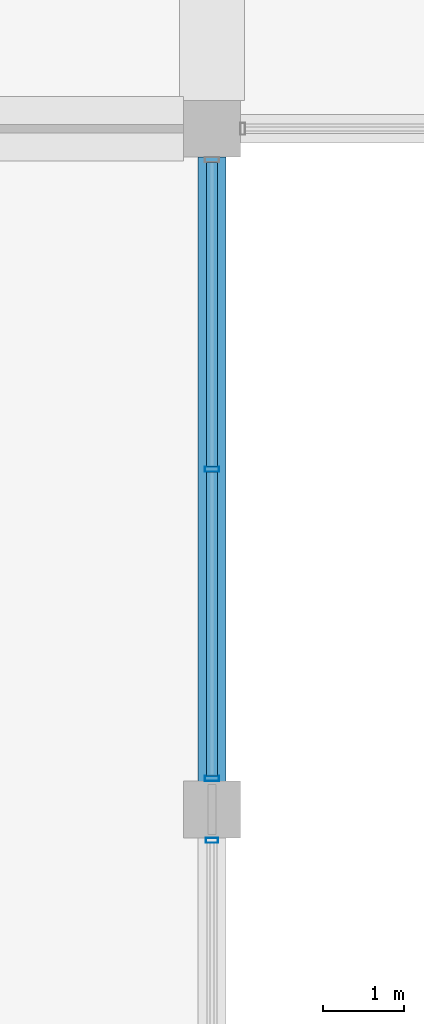
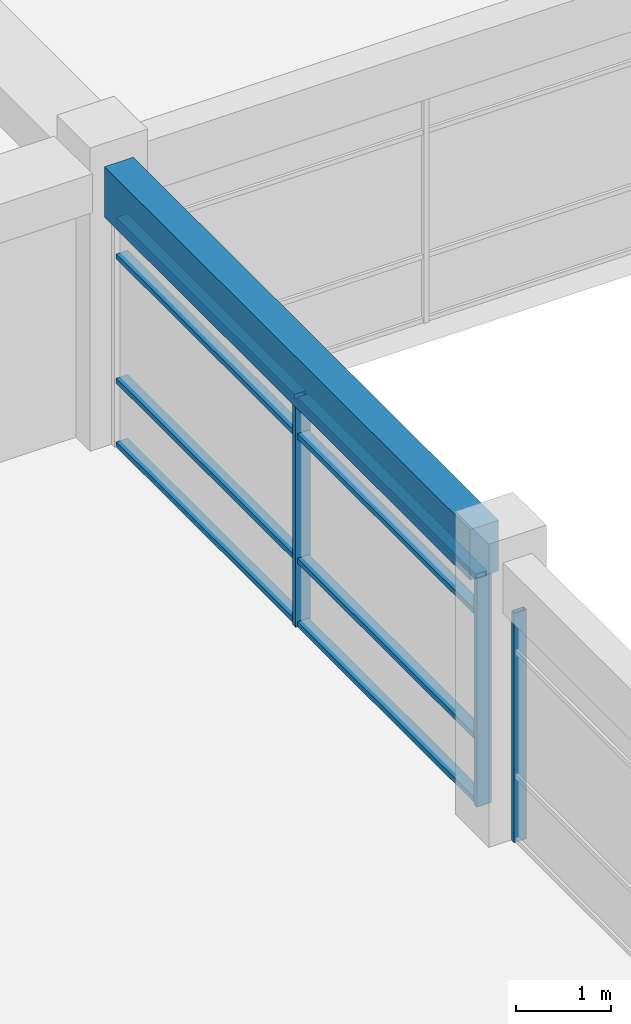
# One storey, part 22 of 72: 11 members, 1 beam, 2 elements without a shape of their own.
"""IFC4 building model written with IfcOpenShell, lengths in metres."""

from ifc_helpers import new_model, si_unit, direction, frame, origin, origin_2d, place, context, subcontext, project, spatial, rectangle, hollow_rectangle, extrude, material, material_profile, profile_set, type_object, element, aggregate, save


model = new_model("IFC4")

# Units and contexts
model_context = context("Model", 3, precision=1e-05, world=origin(), true_north=direction((0.0, 1.0)))
body_context = subcontext(model_context, "Body", "Model", "MODEL_VIEW")
ifc_project = project(units=[si_unit("LENGTHUNIT", "METRE"), si_unit("AREAUNIT", "SQUARE_METRE"), si_unit("VOLUMEUNIT", "CUBIC_METRE"), si_unit("PLANEANGLEUNIT", "RADIAN"), si_unit("MASSUNIT", "GRAM", prefix="KILO"), si_unit("THERMODYNAMICTEMPERATUREUNIT", "KELVIN"), si_unit("POWERUNIT", "WATT")], contexts=[model_context])

# Site, building, storey
site_placement = place(None, origin())
site = spatial("IfcSite", under=ifc_project, at=site_placement, CompositionType="ELEMENT")
building_placement = place(site_placement, origin())
building = spatial("IfcBuilding", under=site, at=building_placement, Name="Srebrne Nadtorze General Hospital", CompositionType="ELEMENT")
storey_placement = place(building_placement, frame((0.0, 0.0, 22.199951171875)))
storey = spatial("IfcBuildingStorey", under=building, at=storey_placement, Name="L05", CompositionType="ELEMENT", Elevation=22.199951171875)

# Curtain wall, member
ifc_material_1 = material(Name="Anodised Aluminium", Category="aluminium")
curtain_wall_type = type_object("IfcCurtainWallType", Name="Unitised curtain wall 7700x2950", PredefinedType="NOTDEFINED", material=ifc_material_1)
curtain_wall_1_placement = place(storey_placement, origin())
curtain_wall_1 = element("IfcCurtainWall", 1, at=curtain_wall_1_placement, inside=storey, type_object=curtain_wall_type, Name="Curtain wall CW-134", PredefinedType="NOTDEFINED")
ifc_material_2 = material(Name="Anodised Aluminium", Category="aluminium")
ifc_material_profile_1 = material_profile(ifc_material_2, hollow_rectangle(XDim=0.06005859375, YDim=0.14990234375, WallThickness=0.00390625, at=origin_2d()), Name="AL-MUL-60x150")
ifc_profile_set_1 = profile_set([ifc_material_profile_1], Name="Anodised Aluminium")
member_type_1 = type_object("IfcMemberType", Name="Curtain mullion 60x150", PredefinedType="MULLION", material=ifc_profile_set_1)
member_1_placement = place(storey_placement, frame((117.0, 16.419921875, 0.0), z_axis=(0.0, 0.0, 1.0), x_axis=(0.0, 1.0, 0.0)))
member_1 = element("IfcMember", 2, at=member_1_placement, type_object=member_type_1, Name="CW-134 mullion 3", PredefinedType="MULLION", context=body_context, shape_type="SweptSolid", body=[
    extrude(hollow_rectangle(XDim=0.06005859375, YDim=0.14990234375, WallThickness=0.00390625, at=origin_2d()), origin(), (0.0, 0.0, 1.0), 2.949951171875),
])
aggregate(curtain_wall_1, [member_1])

# Curtain wall, members
curtain_wall_2_placement = place(storey_placement, origin())
curtain_wall_2 = element("IfcCurtainWall", 3, at=curtain_wall_2_placement, inside=storey, type_object=curtain_wall_type, Name="Curtain wall CW-135", PredefinedType="NOTDEFINED")
ifc_material_3 = material(Name="Anodised Aluminium", Category="aluminium")
ifc_material_profile_2 = material_profile(ifc_material_3, hollow_rectangle(XDim=0.06494140625, YDim=0.179931640625, WallThickness=0.00390625, at=origin_2d()), Name="AL-MUL-65x180")
ifc_profile_set_2 = profile_set([ifc_material_profile_2], Name="Anodised Aluminium")
member_type_2 = type_object("IfcMemberType", Name="Curtain mullion 65x180", PredefinedType="MULLION", material=ifc_profile_set_2)
member_2_placement = place(storey_placement, frame((117.0, 17.1826171875, 0.0), z_axis=(0.0, 0.0, 1.0), x_axis=(0.0, 1.0, 0.0)))
member_2 = element("IfcMember", 4, at=member_2_placement, type_object=member_type_2, Name="CW-135 mullion 1", PredefinedType="MULLION", context=body_context, shape_type="SweptSolid", body=[
    extrude(hollow_rectangle(XDim=0.06494140625, YDim=0.179931640625, WallThickness=0.00390625, at=origin_2d()), origin(), (0.0, 0.0, 1.0), 2.949951171875),
])
member_3_placement = place(storey_placement, frame((117.0, 21.0, 0.0), z_axis=(0.0, 0.0, 1.0), x_axis=(0.0, 1.0, 0.0)))
member_3 = element("IfcMember", 5, at=member_3_placement, type_object=member_type_2, Name="CW-135 mullion 2", PredefinedType="MULLION", context=body_context, shape_type="SweptSolid", body=[
    extrude(hollow_rectangle(XDim=0.06494140625, YDim=0.179931640625, WallThickness=0.00390625, at=origin_2d()), origin(), (0.0, 0.0, 1.0), 2.949951171875),
])
ifc_material_4 = material(Name="Anodised Aluminium", Category="aluminium")
ifc_material_profile_3 = material_profile(ifc_material_4, hollow_rectangle(XDim=0.06494140625, YDim=0.139892578125, WallThickness=0.00390625, at=origin_2d()), Name="AL-TRN-65x140")
ifc_profile_set_3 = profile_set([ifc_material_profile_3], Name="Anodised Aluminium")
member_type_3 = type_object("IfcMemberType", Name="Curtain transom 65x140", PredefinedType="USERDEFINED", material=ifc_profile_set_3)
member_4_placement = place(storey_placement, frame((117.0, 17.215087890625, 0.032470703125), z_axis=(0.0, 1.0, 0.0), x_axis=(0.0, 0.0, 1.0)))
member_4 = element("IfcMember", 6, at=member_4_placement, type_object=member_type_3, Name="CW-135 transom 1.1", ObjectType="TRANSOM", PredefinedType="USERDEFINED", context=body_context, shape_type="SweptSolid", body=[
    extrude(hollow_rectangle(XDim=0.06494140625, YDim=0.139892578125, WallThickness=0.00390625, at=origin_2d()), origin(), (0.0, 0.0, 1.0), 3.75244140625),
])
member_5_placement = place(storey_placement, frame((117.0, 17.215087890625, 0.85009765625), z_axis=(0.0, 1.0, 0.0), x_axis=(0.0, 0.0, 1.0)))
member_5 = element("IfcMember", 7, at=member_5_placement, type_object=member_type_3, Name="CW-135 transom 1.2", ObjectType="TRANSOM", PredefinedType="USERDEFINED", context=body_context, shape_type="SweptSolid", body=[
    extrude(hollow_rectangle(XDim=0.06494140625, YDim=0.139892578125, WallThickness=0.00390625, at=origin_2d()), origin(), (0.0, 0.0, 1.0), 3.75244140625),
])
member_6_placement = place(storey_placement, frame((117.0, 17.215087890625, 2.449951171875), z_axis=(0.0, 1.0, 0.0), x_axis=(0.0, 0.0, 1.0)))
member_6 = element("IfcMember", 8, at=member_6_placement, type_object=member_type_3, Name="CW-135 transom 1.3", ObjectType="TRANSOM", PredefinedType="USERDEFINED", context=body_context, shape_type="SweptSolid", body=[
    extrude(hollow_rectangle(XDim=0.06494140625, YDim=0.139892578125, WallThickness=0.00390625, at=origin_2d()), origin(), (0.0, 0.0, 1.0), 3.75244140625),
])
member_7_placement = place(storey_placement, frame((117.0, 17.215087890625, 2.91748046875), z_axis=(0.0, 1.0, 0.0), x_axis=(0.0, 0.0, 1.0)))
member_7 = element("IfcMember", 9, at=member_7_placement, type_object=member_type_3, Name="CW-135 transom 1.4", ObjectType="TRANSOM", PredefinedType="USERDEFINED", context=body_context, shape_type="SweptSolid", body=[
    extrude(hollow_rectangle(XDim=0.06494140625, YDim=0.139892578125, WallThickness=0.00390625, at=origin_2d()), origin(), (0.0, 0.0, 1.0), 3.75244140625),
])
member_8_placement = place(storey_placement, frame((117.0, 21.032470703125, 0.032470703125), z_axis=(0.0, 1.0, 0.0), x_axis=(0.0, 0.0, 1.0)))
member_8 = element("IfcMember", 10, at=member_8_placement, type_object=member_type_3, Name="CW-135 transom 2.1", ObjectType="TRANSOM", PredefinedType="USERDEFINED", context=body_context, shape_type="SweptSolid", body=[
    extrude(hollow_rectangle(XDim=0.06494140625, YDim=0.139892578125, WallThickness=0.00390625, at=origin_2d()), origin(), (0.0, 0.0, 1.0), 3.75244140625),
])
member_9_placement = place(storey_placement, frame((117.0, 21.032470703125, 0.85009765625), z_axis=(0.0, 1.0, 0.0), x_axis=(0.0, 0.0, 1.0)))
member_9 = element("IfcMember", 11, at=member_9_placement, type_object=member_type_3, Name="CW-135 transom 2.2", ObjectType="TRANSOM", PredefinedType="USERDEFINED", context=body_context, shape_type="SweptSolid", body=[
    extrude(hollow_rectangle(XDim=0.06494140625, YDim=0.139892578125, WallThickness=0.00390625, at=origin_2d()), origin(), (0.0, 0.0, 1.0), 3.75244140625),
])
member_10_placement = place(storey_placement, frame((117.0, 21.032470703125, 2.449951171875), z_axis=(0.0, 1.0, 0.0), x_axis=(0.0, 0.0, 1.0)))
member_10 = element("IfcMember", 12, at=member_10_placement, type_object=member_type_3, Name="CW-135 transom 2.3", ObjectType="TRANSOM", PredefinedType="USERDEFINED", context=body_context, shape_type="SweptSolid", body=[
    extrude(hollow_rectangle(XDim=0.06494140625, YDim=0.139892578125, WallThickness=0.00390625, at=origin_2d()), origin(), (0.0, 0.0, 1.0), 3.75244140625),
])
member_11_placement = place(storey_placement, frame((117.0, 21.032470703125, 2.91748046875), z_axis=(0.0, 1.0, 0.0), x_axis=(0.0, 0.0, 1.0)))
member_11 = element("IfcMember", 13, at=member_11_placement, type_object=member_type_3, Name="CW-135 transom 2.4", ObjectType="TRANSOM", PredefinedType="USERDEFINED", context=body_context, shape_type="SweptSolid", body=[
    extrude(hollow_rectangle(XDim=0.06494140625, YDim=0.139892578125, WallThickness=0.00390625, at=origin_2d()), origin(), (0.0, 0.0, 1.0), 3.75244140625),
])
aggregate(curtain_wall_2, [member_2, member_3, member_4, member_5, member_6, member_7, member_8, member_9, member_10, member_11])

# Beam
ifc_material_5 = material(Name="Concrete C35/45", Category="concrete")
ifc_material_profile_4 = material_profile(ifc_material_5, rectangle(XDim=0.35009765625, YDim=0.64990234375, at=origin_2d()), Name="RC-BM-350x650")
ifc_profile_set_4 = profile_set([ifc_material_profile_4], Name="Concrete C35/45")
beam_type = type_object("IfcBeamType", Name="Edge beam RC 350x650", PredefinedType="BEAM", material=ifc_profile_set_4)
beam_placement = place(storey_placement, frame((117.0, 17.14990234375, 3.275146484375), z_axis=(0.0, 1.0, 0.0), x_axis=(-1.0, 0.0, 0.0)))
element("IfcBeam", 14, at=beam_placement, inside=storey, type_object=beam_type, Name="Beam BM-L05-Y-1105", PredefinedType="BEAM", context=body_context, shape_type="SweptSolid", body=[
    extrude(rectangle(XDim=0.35009765625, YDim=0.64990234375, at=origin_2d()), origin(), (0.0, 0.0, 1.0), 7.7001953125),
])

save(model, "model.ifc")
